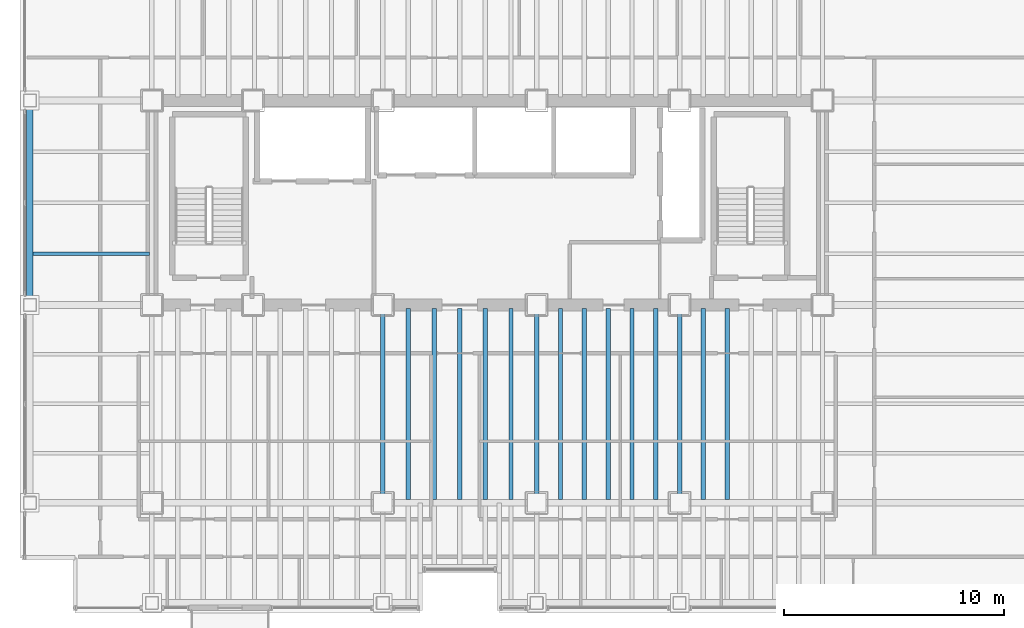
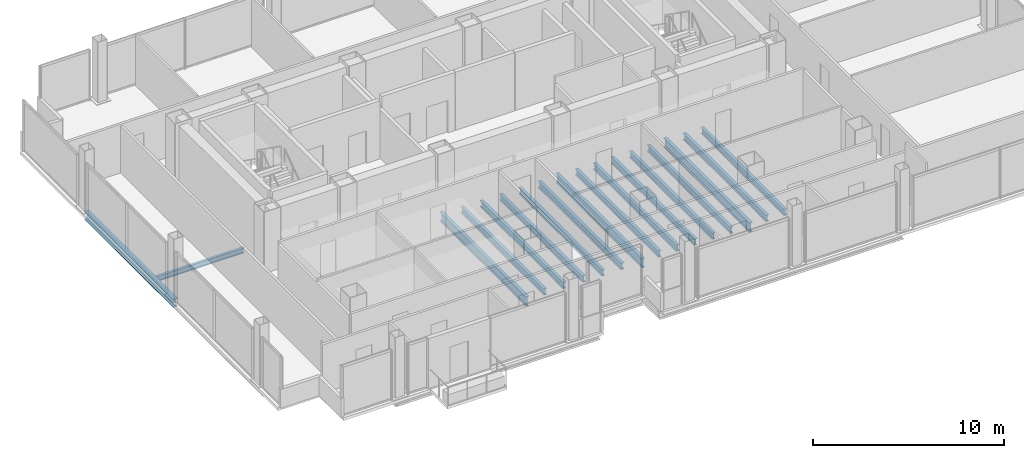
# One storey, part 5 of 20: 17 beams.
"""IFC4 building model written with IfcOpenShell, lengths in metres."""

from ifc_helpers import new_model, si_unit, direction, frame, origin, origin_2d, place, context, subcontext, project, spatial, i_section, extrude, material, material_profile, profile_set, type_object, element, save


model = new_model("IFC4")

# Units and contexts
model_context = context("Model", 3, precision=1e-05, world=origin(), true_north=direction((0.0, 1.0)))
body_context = subcontext(model_context, "Body", "Model", "MODEL_VIEW")
ifc_project = project(units=[si_unit("LENGTHUNIT", "METRE"), si_unit("AREAUNIT", "SQUARE_METRE"), si_unit("VOLUMEUNIT", "CUBIC_METRE"), si_unit("PLANEANGLEUNIT", "RADIAN"), si_unit("MASSUNIT", "GRAM", prefix="KILO")], contexts=[model_context])

# Site, building, storey
site_placement = place(None, origin())
site = spatial("IfcSite", under=ifc_project, at=site_placement, CompositionType="ELEMENT")
building_placement = place(site_placement, origin())
building = spatial("IfcBuilding", under=site, at=building_placement, Name="Noeulbin Bourse Tower", CompositionType="ELEMENT")
storey_placement = place(building_placement, frame((0.0, 0.0, 73.300048828125)))
storey = spatial("IfcBuildingStorey", under=building, at=storey_placement, Name="L18", CompositionType="ELEMENT", Elevation=73.300048828125)

# Beams
ifc_material = material(Name="Steel S355", Category="steel")
ifc_material_profile_1 = material_profile(ifc_material, i_section(OverallWidth=0.199951171875, OverallDepth=0.60009765625, WebThickness=0.010986328125, FlangeThickness=0.01708984375, FilletRadius=0.02197265625, at=origin_2d()), Name="H-600x200x11x17", Category="LoadBearing")
ifc_profile_set_1 = profile_set([ifc_material_profile_1], Name="Steel S355")
beam_type_1 = type_object("IfcBeamType", Name="BM-GRD-600", PredefinedType="USERDEFINED", material=ifc_profile_set_1)
for number, where, z_axis, x_axis, name in (
    (1, (24.0, 20.0, -0.47998046875), (0.0, 1.0, 0.0), (-1.0, 0.0, 0.0), "Tower Primary Girder NS L18-2.2"),
    (2, (31.0, 20.0, -0.47998046875), (0.0, 1.0, 0.0), (-1.0, 0.0, 0.0), "Tower Primary Girder NS L18-3.2"),
    (3, (37.5, 20.0, -0.47998046875), (0.0, 1.0, 0.0), (-1.0, 0.0, 0.0), "Tower Primary Girder NS L18-4.2"),
):
    element("IfcBeam", number, at=place(storey_placement, frame(where, z_axis=z_axis, x_axis=x_axis)), inside=storey, type_object=beam_type_1, Name=name, ObjectType="GIRDER", PredefinedType="USERDEFINED", context=body_context, shape_type="SweptSolid", body=[
        extrude(i_section(OverallWidth=0.199951171875, OverallDepth=0.60009765625, WebThickness=0.010986328125, FlangeThickness=0.01708984375, FilletRadius=0.02197265625, at=origin_2d()), origin(), (0.0, 0.0, 1.0), 9.0),
    ])
ifc_material_profile_2 = material_profile(ifc_material, i_section(OverallWidth=0.159912109375, OverallDepth=0.320068359375, WebThickness=0.006591796875, FlangeThickness=0.010009765625, FilletRadius=0.012939453125, at=origin_2d()), Name="H-320x160x6.5x10", Category="LoadBearing")
ifc_profile_set_2 = profile_set([ifc_material_profile_2], Name="Steel S355")
beam_type_2 = type_object("IfcBeamType", Name="BM-JST-320", PredefinedType="JOIST", material=ifc_profile_set_2)
beam_1_placement = place(storey_placement, frame((8.10009765625, 31.324951171875, -0.340087890625), z_axis=(1.0, 0.0, 0.0), x_axis=(0.0, 1.0, 0.0)))
element("IfcBeam", 4, at=beam_1_placement, inside=storey, type_object=beam_type_2, Name="Wing Composite Joist L18-W73", PredefinedType="JOIST", context=body_context, shape_type="SweptSolid", body=[
    extrude(i_section(OverallWidth=0.159912109375, OverallDepth=0.320068359375, WebThickness=0.006591796875, FlangeThickness=0.010009765625, FilletRadius=0.012939453125, at=origin_2d()), origin(), (0.0, 0.0, 1.0), 5.2998046875),
])
ifc_material_profile_3 = material_profile(ifc_material, i_section(OverallWidth=0.199951171875, OverallDepth=0.39990234375, WebThickness=0.008056640625, FlangeThickness=0.012939453125, FilletRadius=0.01611328125, at=origin_2d()), Name="H-400x200x8x13", Category="LoadBearing")
ifc_profile_set_3 = profile_set([ifc_material_profile_3], Name="Steel S355")
beam_type_3 = type_object("IfcBeamType", Name="BM-SEC-400", PredefinedType="BEAM", material=ifc_profile_set_3)
for number, where, z_axis, x_axis, name in (
    (5, (25.166748046875, 20.14990234375, -0.380126953125), (0.0, 1.0, 0.0), (-1.0, 0.0, 0.0), "Tower Composite Joist L18-26"),
    (6, (26.333251953125, 20.14990234375, -0.380126953125), (0.0, 1.0, 0.0), (-1.0, 0.0, 0.0), "Tower Composite Joist L18-29"),
    (7, (27.5, 20.14990234375, -0.380126953125), (0.0, 1.0, 0.0), (-1.0, 0.0, 0.0), "Tower Composite Joist L18-32"),
    (8, (28.666748046875, 20.14990234375, -0.380126953125), (0.0, 1.0, 0.0), (-1.0, 0.0, 0.0), "Tower Composite Joist L18-35"),
    (9, (29.833251953125, 20.14990234375, -0.380126953125), (0.0, 1.0, 0.0), (-1.0, 0.0, 0.0), "Tower Composite Joist L18-38"),
    (10, (32.083251953125, 20.14990234375, -0.380126953125), (0.0, 1.0, 0.0), (-1.0, 0.0, 0.0), "Tower Composite Joist L18-41"),
    (11, (33.166748046875, 20.14990234375, -0.380126953125), (0.0, 1.0, 0.0), (-1.0, 0.0, 0.0), "Tower Composite Joist L18-44"),
    (12, (34.25, 20.14990234375, -0.380126953125), (0.0, 1.0, 0.0), (-1.0, 0.0, 0.0), "Tower Composite Joist L18-47"),
    (13, (35.333251953125, 20.14990234375, -0.380126953125), (0.0, 1.0, 0.0), (-1.0, 0.0, 0.0), "Tower Composite Joist L18-50"),
    (14, (36.416748046875, 20.14990234375, -0.380126953125), (0.0, 1.0, 0.0), (-1.0, 0.0, 0.0), "Tower Composite Joist L18-53"),
    (15, (38.583251953125, 20.14990234375, -0.380126953125), (0.0, 1.0, 0.0), (-1.0, 0.0, 0.0), "Tower Composite Joist L18-56"),
    (16, (39.666748046875, 20.14990234375, -0.380126953125), (0.0, 1.0, 0.0), (-1.0, 0.0, 0.0), "Tower Composite Joist L18-59"),
):
    element("IfcBeam", number, at=place(storey_placement, frame(where, z_axis=z_axis, x_axis=x_axis)), inside=storey, type_object=beam_type_3, Name=name, PredefinedType="BEAM", context=body_context, shape_type="SweptSolid", body=[
        extrude(i_section(OverallWidth=0.199951171875, OverallDepth=0.39990234375, WebThickness=0.008056640625, FlangeThickness=0.012939453125, FilletRadius=0.01611328125, at=origin_2d()), origin(), (0.0, 0.0, 1.0), 8.7001953125),
    ])
ifc_material_profile_4 = material_profile(ifc_material, i_section(OverallWidth=0.300048828125, OverallDepth=0.488037109375, WebThickness=0.010986328125, FlangeThickness=0.01806640625, FilletRadius=0.02197265625, at=origin_2d()), Name="H-488x300x11x18", Category="LoadBearing")
ifc_profile_set_4 = profile_set([ifc_material_profile_4], Name="Steel S355")
beam_type_4 = type_object("IfcBeamType", Name="BM-SPN-488", PredefinedType="SPANDREL", material=ifc_profile_set_4)
beam_2_placement = place(storey_placement, frame((7.949951171875, 29.0, -0.424072265625), z_axis=(0.0, 1.0, 0.0), x_axis=(-1.0, 0.0, 0.0)))
element("IfcBeam", 17, at=beam_2_placement, inside=storey, type_object=beam_type_4, Name="West Spandrel L18-2", PredefinedType="SPANDREL", context=body_context, shape_type="SweptSolid", body=[
    extrude(i_section(OverallWidth=0.300048828125, OverallDepth=0.488037109375, WebThickness=0.010986328125, FlangeThickness=0.01806640625, FilletRadius=0.02197265625, at=origin_2d()), origin(), (0.0, 0.0, 1.0), 9.300048828125),
])

save(model, "model.ifc")
